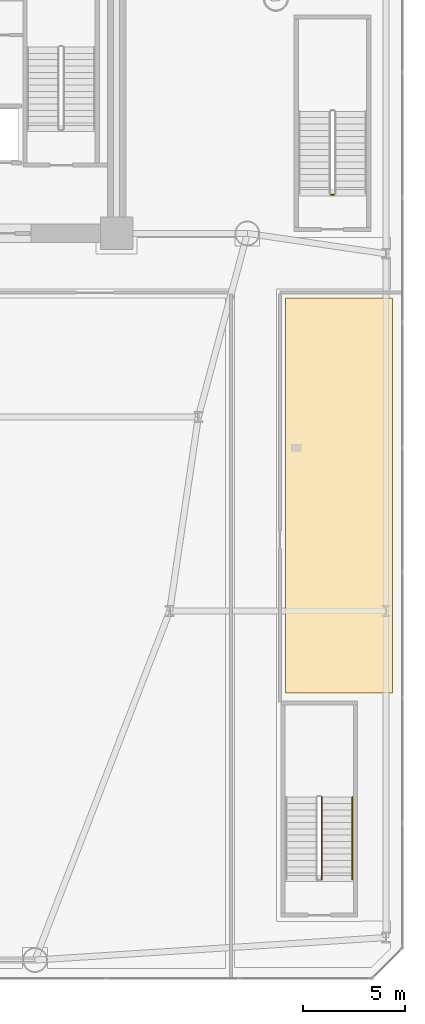
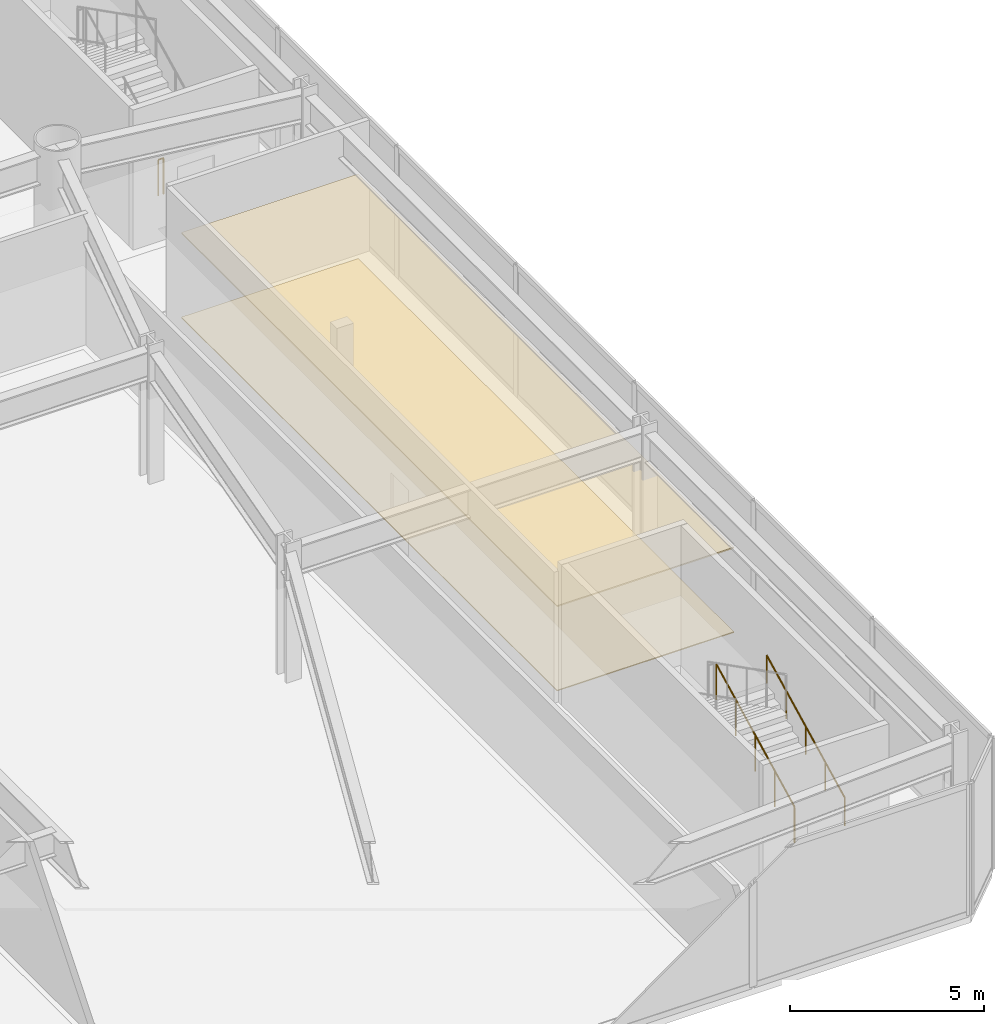
# One storey, part 23 of 24: 3 railings, 2 coverings.
"""IFC4 building model written with IfcOpenShell, lengths in metres."""

from ifc_helpers import new_model, si_unit, direction, frame, origin, origin_2d, place, context, subcontext, project, spatial, polyline, circle, outline, extrude, material, layer, layer_set, type_object, element, save


model = new_model("IFC4")

# Units and contexts
model_context = context("Model", 3, precision=1e-05, world=origin(), true_north=direction((0.0, 1.0)))
body_context = subcontext(model_context, "Body", "Model", "MODEL_VIEW")
ifc_project = project(units=[si_unit("LENGTHUNIT", "METRE"), si_unit("AREAUNIT", "SQUARE_METRE"), si_unit("VOLUMEUNIT", "CUBIC_METRE"), si_unit("PLANEANGLEUNIT", "RADIAN"), si_unit("MASSUNIT", "GRAM", prefix="KILO")], contexts=[model_context])

# Site, building, storey
site_placement = place(None, origin())
site = spatial("IfcSite", under=ifc_project, at=site_placement, CompositionType="ELEMENT")
building_placement = place(site_placement, origin())
building = spatial("IfcBuilding", under=site, at=building_placement, Name="Vaeldorn Concourse Tower", CompositionType="ELEMENT")
storey_placement = place(building_placement, frame((0.0, 0.0, 10.0)))
storey = spatial("IfcBuildingStorey", under=building, at=storey_placement, Name="L02", CompositionType="ELEMENT", Elevation=10.0)

# Coverings
ifc_material_1 = material(Name="Acoustic Mineral Fibre Board", Category="gypsum")
ifc_layer_1 = layer(ifc_material_1, 0.0400390625)
ifc_layer_set_1 = layer_set([ifc_layer_1], Name="Acoustic Mineral Fibre Board")
covering_type_1 = type_object("IfcCoveringType", Name="COV-CEIL-ACOUSTIC", PredefinedType="CEILING", material=ifc_layer_set_1)
covering_1_placement = place(storey_placement, frame((0.0, 0.0, 2.64990234375)))
element("IfcCovering", 1, at=covering_1_placement, inside=storey, type_object=covering_type_1, Name="Suspended Acoustic Ceiling L02-10", PredefinedType="CEILING", context=body_context, shape_type="SweptSolid", body=[
    extrude(outline(polyline([(62.260009765625, 33.340087890625), (67.52001953125, 33.340087890625), (67.52001953125, 13.97998046875), (62.260009765625, 13.97998046875), (62.260009765625, 33.340087890625)])), origin(), (0.0, 0.0, 1.0), 0.0400390625),
])
ifc_material_2 = material(Name="Honed Limestone Terrazzo Flooring", Category="masonry")
ifc_layer_2 = layer(ifc_material_2, 0.0400390625)
ifc_layer_set_2 = layer_set([ifc_layer_2], Name="Honed Limestone Terrazzo Flooring")
covering_type_2 = type_object("IfcCoveringType", Name="COV-FLOOR-STONE", PredefinedType="FLOORING", material=ifc_layer_set_2)
covering_2_placement = place(storey_placement, origin())
element("IfcCovering", 2, at=covering_2_placement, inside=storey, type_object=covering_type_2, Name="Floor Finish Covering L02-10", PredefinedType="FLOORING", context=body_context, shape_type="SweptSolid", body=[
    extrude(outline(polyline([(62.260009765625, 33.340087890625), (67.52001953125, 33.340087890625), (67.52001953125, 13.97998046875), (62.260009765625, 13.97998046875), (62.260009765625, 33.340087890625)])), origin(), (0.0, 0.0, 1.0), 0.030029296875),
])

# Railings
ifc_material_3 = material(Name="Anodised Bronze Aluminium", Category="aluminium")
railing_type_1 = type_object("IfcRailingType", Name="RL-STAIR-GUARD", PredefinedType="GUARDRAIL", material=ifc_material_3)
railing_1_placement = place(storey_placement, frame((64.64990234375, 38.39990234375, 0.0)))
element("IfcRailing", 3, at=railing_1_placement, inside=storey, type_object=railing_type_1, Name="L02 ST-4 stair guard 4", PredefinedType="GUARDRAIL", context=body_context, shape_type="SweptSolid", body=[
    extrude(circle(Radius=0.02392578125, at=origin_2d()), frame((0.0, 0.0, 1.1259765625), z_axis=(-1.0, 0.0, 0.0), x_axis=(0.0, -1.0, 0.0)), (0.0, 0.0, 1.0), 0.14990234375),
    extrude(circle(Radius=0.02099609375, at=origin_2d()), origin(), (0.0, 0.0, 1.0), 1.101806640625),
    extrude(circle(Radius=0.02099609375, at=origin_2d()), frame((-0.14990234375, 0.0, 0.0)), (0.0, 0.0, 1.0), 1.101806640625),
])
railing_2_placement = place(storey_placement, frame((64.050048828125, 4.85009765625, 0.1572265625)))
element("IfcRailing", 4, at=railing_2_placement, inside=storey, type_object=railing_type_1, Name="L02 ST-5 stair guard 1", PredefinedType="GUARDRAIL", context=body_context, shape_type="SweptSolid", body=[
    extrude(circle(Radius=0.02392578125, at=origin_2d()), frame((0.0, 0.0, 1.1259765625), z_axis=(0.0, 0.891949485669, 0.452135062801), x_axis=(-1.0, 0.0, 0.0)), (0.0, 0.0, 1.0), 4.51806640625),
    extrude(circle(Radius=0.02099609375, at=origin_2d()), origin(), (0.0, 0.0, 1.0), 1.101806640625),
    extrude(circle(Radius=0.02099609375, at=origin_2d()), frame((0.0, 1.00732421875, 0.5107421875)), (0.0, 0.0, 1.0), 1.101806640625),
    extrude(circle(Radius=0.02099609375, at=origin_2d()), frame((0.0, 2.014892578125, 1.021484375)), (0.0, 0.0, 1.0), 1.101806640625),
    extrude(circle(Radius=0.02099609375, at=origin_2d()), frame((0.0, 3.0224609375, 1.531982421875)), (0.0, 0.0, 1.0), 1.101806640625),
    extrude(circle(Radius=0.02099609375, at=origin_2d()), frame((0.0, 4.02978515625, 2.042724609375)), (0.0, 0.0, 1.0), 1.101806640625),
])
railing_type_2 = type_object("IfcRailingType", Name="RL-STAIR-HANDRAIL", PredefinedType="HANDRAIL", material=ifc_material_3)
railing_3_placement = place(storey_placement, frame((65.550048828125, 4.85009765625, 0.1572265625)))
element("IfcRailing", 5, at=railing_3_placement, inside=storey, type_object=railing_type_2, Name="L02 ST-5 stair handrail 1", PredefinedType="HANDRAIL", context=body_context, shape_type="SweptSolid", body=[
    extrude(circle(Radius=0.02392578125, at=origin_2d()), frame((0.0, 0.0, 0.8759765625), z_axis=(0.0, 0.891949485669, 0.452135062801), x_axis=(-1.0, 0.0, 0.0)), (0.0, 0.0, 1.0), 4.51806640625),
    extrude(circle(Radius=0.02099609375, at=origin_2d()), origin(), (0.0, 0.0, 1.0), 0.851806640625),
    extrude(circle(Radius=0.02099609375, at=origin_2d()), frame((0.0, 1.00732421875, 0.5107421875)), (0.0, 0.0, 1.0), 0.851806640625),
    extrude(circle(Radius=0.02099609375, at=origin_2d()), frame((0.0, 2.014892578125, 1.021484375)), (0.0, 0.0, 1.0), 0.851806640625),
    extrude(circle(Radius=0.02099609375, at=origin_2d()), frame((0.0, 3.0224609375, 1.531982421875)), (0.0, 0.0, 1.0), 0.851806640625),
    extrude(circle(Radius=0.02099609375, at=origin_2d()), frame((0.0, 4.02978515625, 2.042724609375)), (0.0, 0.0, 1.0), 0.851806640625),
])

save(model, "model.ifc")
